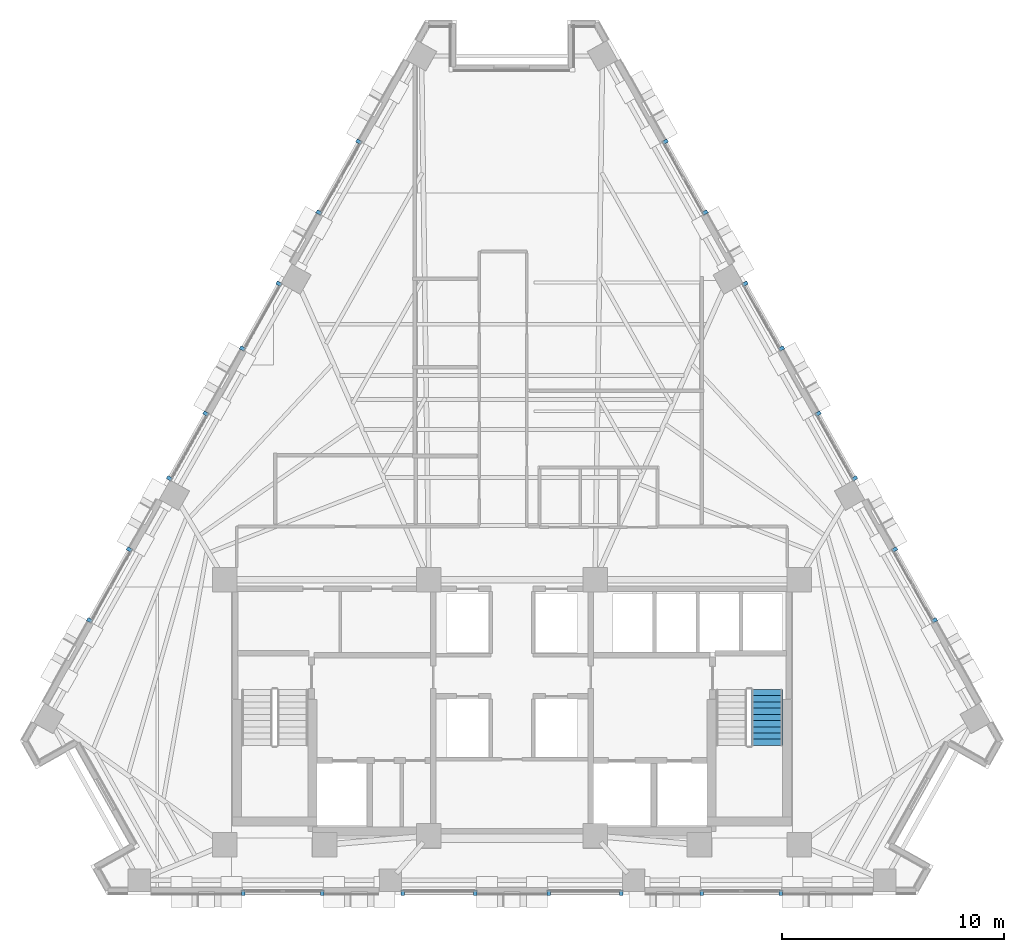
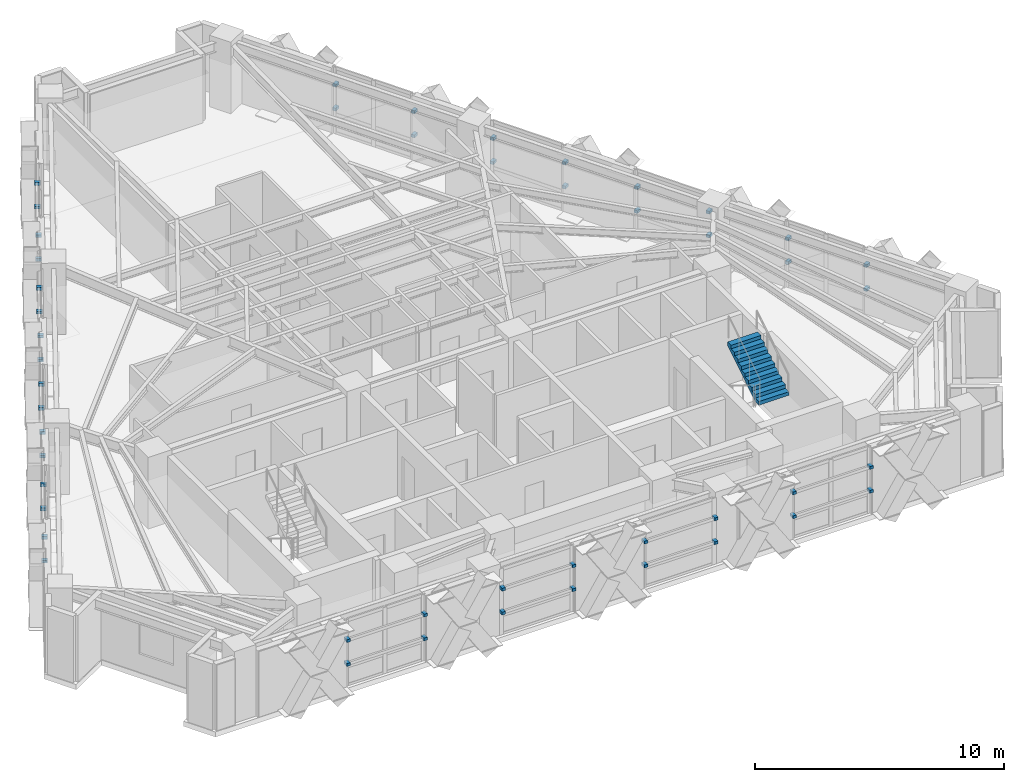
# One storey, part 10 of 14: 48 discrete accessories, 1 stair flight, 1 element without a shape of its own.
"""IFC4 building model written with IfcOpenShell, lengths in metres."""

import ifcopenshell
import ifcopenshell.guid

model = None  # the IFC model being written
_history = None  # IfcOwnerHistory: only IFC2X3 demands one
_inside = {}  # id of a spatial element -> (the spatial element, [elements in it])
_under = {}  # id of a project, library or spatial element -> (it, [spatial elements below it])
_declared = {}  # id of a project -> (the project, [libraries it declares])
_typed = {}  # id of a type object -> (the type object, [elements of that type])
_made_of = {}  # id of a material, layer set ... -> (it, [elements and type objects made of it])


def new_model(schema):
    """Start an empty IFC model of exactly this schema.

    Asked for "IFC4X3", IfcOpenShell would pick the latest addendum, in which some entities
    have other attributes; the version numbers below select the first issue.
    IFC2X3 requires an IfcOwnerHistory on every rooted entity: one is made here for all.
    """
    global model, _history
    if schema == "IFC4X3":
        model = ifcopenshell.file(schema_version=(4, 3, 0, 0))
    else:
        model = ifcopenshell.file(schema=schema)
    _inside.clear()
    _under.clear()
    _declared.clear()
    _typed.clear()
    _made_of.clear()
    _history = None
    if model.schema == "IFC2X3":
        org = make("IfcOrganization", Name="unknown")
        user = make(
            "IfcPersonAndOrganization",
            ThePerson=make("IfcPerson", FamilyName="unknown"),
            TheOrganization=org,
        )
        app = make(
            "IfcApplication",
            ApplicationDeveloper=org,
            Version="unknown",
            ApplicationFullName="unknown",
            ApplicationIdentifier="unknown",
        )
        _history = make(
            "IfcOwnerHistory",
            OwningUser=user,
            OwningApplication=app,
            ChangeAction="ADDED",
            CreationDate=0,
        )
    return model


def make(cls, **values):
    """One entity of the class cls with the attributes given. An attribute that is None is left unset."""
    return model.create_entity(
        cls, **{name: value for name, value in values.items() if value is not None}
    )


def rooted(cls, **values):
    """An entity with a GlobalId (a new one), such as an element, a storey or a relation."""
    return make(cls, GlobalId=ifcopenshell.guid.new(), OwnerHistory=_history, **values)


def si_unit(unit_type, name, prefix=None):
    """IfcSIUnit, for example si_unit("LENGTHUNIT", "METRE", prefix="MILLI")."""
    return make("IfcSIUnit", UnitType=unit_type, Prefix=prefix, Name=name)


def assignment(units):
    """IfcUnitAssignment: the units of a project."""
    return None if units is None else make("IfcUnitAssignment", Units=units)


def point(xyz):
    """IfcCartesianPoint."""
    return None if xyz is None else make("IfcCartesianPoint", Coordinates=xyz)


def direction(xyz):
    """IfcDirection."""
    return None if xyz is None else make("IfcDirection", DirectionRatios=xyz)


def frame(location, z_axis=None, x_axis=None):
    """IfcAxis2Placement3D, a coordinate frame: its origin and axes. An axis left out is left unset."""
    return make(
        "IfcAxis2Placement3D",
        Location=point(location),
        Axis=direction(z_axis),
        RefDirection=direction(x_axis),
    )


def frame_2d(location, x_axis=None):
    """IfcAxis2Placement2D, a coordinate frame in the plane: its origin and x axis."""
    return make(
        "IfcAxis2Placement2D", Location=point(location), RefDirection=direction(x_axis)
    )


def origin():
    """The frame at (0, 0, 0) with its axes left unset."""
    return frame((0.0, 0.0, 0.0))


def origin_2d():
    """The frame at (0, 0) in the plane with its x axis left unset."""
    return frame_2d((0.0, 0.0))


def place(relative_to, where):
    """IfcLocalPlacement: puts the frame where relative to a parent placement (None: the world)."""
    return make(
        "IfcLocalPlacement", PlacementRelTo=relative_to, RelativePlacement=where
    )


def context(
    kind, dimensions, precision=None, world=None, true_north=None, identifier=None
):
    """IfcGeometricRepresentationContext, for example the 3D "Model" context."""
    return make(
        "IfcGeometricRepresentationContext",
        ContextIdentifier=identifier,
        ContextType=kind,
        CoordinateSpaceDimension=dimensions,
        Precision=precision,
        WorldCoordinateSystem=world,
        TrueNorth=true_north,
    )


def subcontext(parent, identifier, kind, view, scale=None):
    """IfcGeometricRepresentationSubContext, for example "Body" below "Model"."""
    return make(
        "IfcGeometricRepresentationSubContext",
        ContextIdentifier=identifier,
        ContextType=kind,
        ParentContext=parent,
        TargetScale=scale,
        TargetView=view,
    )


def project(units=None, contexts=None):
    """IfcProject with its units and contexts."""
    return rooted(
        "IfcProject",
        Name="project",
        RepresentationContexts=contexts,
        UnitsInContext=assignment(units),
    )


def spatial(cls, under=None, at=None, **own):
    """A site, building, storey or space (cls), placed at a placement, below another one or the project."""
    s = rooted(cls, ObjectPlacement=at, **own)
    if under is not None:
        _under.setdefault(under.id(), (under, []))[1].append(s)
    return s


def polyline(points):
    """IfcPolyline through the points."""
    return make("IfcPolyline", Points=[point(p) for p in points])


def profile(cls, at=None, kind="AREA", **sizes):
    """A parametric profile (cls). Its sizes go by their IFC names, for example OverallWidth=200.0."""
    return make(cls, ProfileType=kind, Position=at, **sizes)


def rectangle(**sizes):
    """IfcRectangleProfileDef."""
    return profile("IfcRectangleProfileDef", **sizes)


def outline(outer, holes=None, kind="AREA"):
    """IfcArbitraryClosedProfileDef: a profile drawn as a closed curve; with holes, ...WithVoids."""
    if holes is None:
        return make("IfcArbitraryClosedProfileDef", ProfileType=kind, OuterCurve=outer)
    return make(
        "IfcArbitraryProfileDefWithVoids",
        ProfileType=kind,
        OuterCurve=outer,
        InnerCurves=holes,
    )


def extrude(swept, where, along, depth):
    """IfcExtrudedAreaSolid: the profile swept, set in the frame where, extruded along a direction by depth."""
    return make(
        "IfcExtrudedAreaSolid",
        SweptArea=swept,
        Position=where,
        ExtrudedDirection=direction(along),
        Depth=depth,
    )


def shape(context_of_items, identifier, shape_type, items):
    """IfcShapeRepresentation: the items that make up one representation, for example the "Body"."""
    return make(
        "IfcShapeRepresentation",
        ContextOfItems=context_of_items,
        RepresentationIdentifier=identifier,
        RepresentationType=shape_type,
        Items=items,
    )


def material(Name=None, Category=None):
    """IfcMaterial."""
    return make("IfcMaterial", Name=Name, Category=Category)


def layer(
    of_material, thickness, ventilated=None, Name=None, Category=None, Priority=None
):
    """IfcMaterialLayer: one layer of a wall or slab, of a material (None: an air gap)."""
    return make(
        "IfcMaterialLayer",
        Material=of_material,
        LayerThickness=thickness,
        IsVentilated=ventilated,
        Name=Name,
        Category=Category,
        Priority=Priority,
    )


def layer_set(layers, Name=None):
    """IfcMaterialLayerSet."""
    return make("IfcMaterialLayerSet", MaterialLayers=layers, LayerSetName=Name)


def made_of(thing, what):
    """Note that an element or type object is made of a material, layer set ...; save() writes the relation."""
    if what is not None:
        _made_of.setdefault(what.id(), (what, []))[1].append(thing)
    return thing


def type_object(cls, material=None, **own):
    """A type object (cls), such as IfcWallType, which elements share."""
    return made_of(rooted(cls, **own), material)


def element(
    cls,
    number,
    at=None,
    inside=None,
    cuts=None,
    type_object=None,
    material=None,
    context=None,
    identifier="Body",
    shape_type=None,
    held_by="IfcProductDefinitionShape",
    body=None,
    shapes=None,
    **own,
):
    """One element of the class cls, such as IfcWall. Its Tag is "e" and its number.

    at: its placement. inside: the storey or other place that contains it. cuts: it is an
    opening in that element (IfcRelVoidsElement). A single representation is given by context,
    identifier, shape_type and body (its items); several are given by shapes. held_by: the class
    of the entity that holds the representations. save() writes the other relations.
    """
    e = rooted(cls, Tag="e%d" % number, ObjectPlacement=at, **own)
    if body is not None:
        shapes = [shape(context, identifier, shape_type, body)]
    if shapes is not None:
        e.Representation = make(held_by, Representations=shapes)
    if inside is not None:
        _inside.setdefault(inside.id(), (inside, []))[1].append(e)
    if cuts is not None:
        rooted(
            "IfcRelVoidsElement", RelatingBuildingElement=cuts, RelatedOpeningElement=e
        )
    if type_object is not None:
        _typed.setdefault(type_object.id(), (type_object, []))[1].append(e)
    return made_of(e, material)


def aggregate(whole, parts):
    """IfcRelAggregates: a whole, such as a stair, and the parts it consists of."""
    return rooted("IfcRelAggregates", RelatingObject=whole, RelatedObjects=parts)


def save(model, path):
    """Write the relations noted so far, then the file.

    IfcRelAggregates (storeys below a building ...), IfcRelContainedInSpatialStructure (elements
    in a storey), IfcRelDefinesByType, IfcRelAssociatesMaterial and IfcRelDeclares: one each for
    every whole, place, type object, material and project.
    """
    for whole, parts in _under.values():
        aggregate(whole, parts)
    for where, things in _inside.values():
        rooted(
            "IfcRelContainedInSpatialStructure",
            RelatedElements=things,
            RelatingStructure=where,
        )
    for kind, things in _typed.values():
        rooted("IfcRelDefinesByType", RelatedObjects=things, RelatingType=kind)
    for what, things in _made_of.values():
        rooted("IfcRelAssociatesMaterial", RelatedObjects=things, RelatingMaterial=what)
    for by, libraries in _declared.values():
        rooted("IfcRelDeclares", RelatingContext=by, RelatedDefinitions=libraries)
    model.write(path)


model = new_model("IFC4")

# Units and contexts
model_context = context("Model", 3, precision=1e-05, world=origin(), true_north=direction((0.0, 1.0)))
body_context = subcontext(model_context, "Body", "Model", "MODEL_VIEW")
ifc_project = project(units=[si_unit("LENGTHUNIT", "METRE"), si_unit("AREAUNIT", "SQUARE_METRE"), si_unit("VOLUMEUNIT", "CUBIC_METRE"), si_unit("PLANEANGLEUNIT", "RADIAN"), si_unit("MASSUNIT", "GRAM", prefix="KILO")], contexts=[model_context])

# Site, building, storey
site_placement = place(None, origin())
site = spatial("IfcSite", under=ifc_project, at=site_placement, CompositionType="ELEMENT")
building_placement = place(site_placement, origin())
building = spatial("IfcBuilding", under=site, at=building_placement, Name="Quenlor Broadcast Tower", CompositionType="ELEMENT")
storey_placement = place(building_placement, frame((0.0, 0.0, 144.0)))
storey = spatial("IfcBuildingStorey", under=building, at=storey_placement, Name="L39", CompositionType="ELEMENT", Elevation=144.0)

# Stair, stair flight
ifc_material_1 = material(Name="Precast concrete C40/50", Category="concrete")
stair_type = type_object("IfcStairType", Name="Precast Concrete C40/50 Dogleg Stair H350", PredefinedType="HALF_TURN_STAIR", material=ifc_material_1)
stair_placement = place(storey_placement, origin())
stair = element("IfcStair", 1, at=stair_placement, inside=storey, type_object=stair_type, Name="L39 East Core Fire-Isolated Exit Stair ST-2", PredefinedType="HALF_TURN_STAIR")
ifc_material_2 = material(Name="Precast concrete C40/50", Category="concrete")
ifc_layer = layer(ifc_material_2, 0.159912109375)
ifc_layer_set = layer_set([ifc_layer], Name="Precast Concrete C40/50 Stair Flight H350")
stair_flight_type = type_object("IfcStairFlightType", Name="Precast Concrete C40/50 Stair Flight H350", PredefinedType="STRAIGHT", material=ifc_layer_set)
stair_flight_placement = place(storey_placement, frame((11.5, -12.27001953125, 1.75), z_axis=(0.0, 0.0, 1.0), x_axis=(0.0, 1.0, 0.0)))
stair_flight = element("IfcStairFlight", 2, at=stair_flight_placement, type_object=stair_flight_type, Name="ST-2 flight 2", NumberOfRisers=10, NumberOfTreads=9, PredefinedType="STRAIGHT", RiserHeight=0.175, TreadLength=0.28, context=body_context, shape_type="SweptSolid", body=[
    extrude(outline(polyline([(0.0, 0.0), (0.0, 0.175048828125), (0.280029296875, 0.175048828125), (0.280029296875, 0.35009765625), (0.56005859375, 0.35009765625), (0.56005859375, 0.52490234375), (0.840087890625, 0.52490234375), (0.840087890625, 0.699951171875), (1.1201171875, 0.699951171875), (1.1201171875, 0.875), (1.39990234375, 0.875), (1.39990234375, 1.050048828125), (1.679931640625, 1.050048828125), (1.679931640625, 1.22509765625), (1.9599609375, 1.22509765625), (1.9599609375, 1.39990234375), (2.239990234375, 1.39990234375), (2.239990234375, 1.574951171875), (2.52001953125, 1.574951171875), (2.52001953125, 1.75), (2.52001953125, 1.398193359375), (0.28271484375, 0.0), (0.0, 0.0)])), frame((0.0, 0.699951171875, 0.0), z_axis=(0.0, -1.0, 0.0), x_axis=(1.0, 0.0, 0.0)), (0.0, 0.0, 1.0), 1.39990234375),
])
aggregate(stair, [stair_flight])

# Discrete accessories
ifc_material_3 = material(Name="Aluminium 6063-T6", Category="aluminium")
discrete_accessory_type = type_object("IfcDiscreteAccessoryType", Name="Stainless Mullion Baguette Support Bracket", PredefinedType="BRACKET", material=ifc_material_3)
for number, where, z_axis, x_axis, name in (
    (3, (12.114013671875, -18.919921875, 1.10009765625), (0.0, 0.0, 1.0), (-1.0, 0.0, 0.0), "L39 Baguette Mullion Bracket 1.1"),
    (4, (8.550048828125, -18.919921875, 1.10009765625), (0.0, 0.0, 1.0), (-1.0, 0.0, 0.0), "L39 Baguette Mullion Bracket 1.2"),
    (5, (12.114013671875, -18.919921875, 2.27001953125), (0.0, 0.0, 1.0), (-1.0, 0.0, 0.0), "L39 Baguette Mullion Bracket 2.1"),
    (6, (8.550048828125, -18.919921875, 2.27001953125), (0.0, 0.0, 1.0), (-1.0, 0.0, 0.0), "L39 Baguette Mullion Bracket 2.2"),
    (7, (-8.550048828125, -18.919921875, 1.10009765625), (0.0, 0.0, 1.0), (-1.0, 0.0, 0.0), "L39 Baguette Mullion Bracket 1.1"),
    (8, (-12.114013671875, -18.919921875, 1.10009765625), (0.0, 0.0, 1.0), (-1.0, 0.0, 0.0), "L39 Baguette Mullion Bracket 1.2"),
    (9, (-8.550048828125, -18.919921875, 2.27001953125), (0.0, 0.0, 1.0), (-1.0, 0.0, 0.0), "L39 Baguette Mullion Bracket 2.1"),
    (10, (-12.114013671875, -18.919921875, 2.27001953125), (0.0, 0.0, 1.0), (-1.0, 0.0, 0.0), "L39 Baguette Mullion Bracket 2.2"),
    (11, (4.926025390625, -18.919921875, 1.10009765625), (0.0, 0.0, 1.0), (-1.0, 0.0, 0.0), "L39 Baguette Mullion Bracket 1.1"),
    (12, (1.662109375, -18.919921875, 1.10009765625), (0.0, 0.0, 1.0), (-1.0, 0.0, 0.0), "L39 Baguette Mullion Bracket 1.2"),
    (13, (4.926025390625, -18.919921875, 2.27001953125), (0.0, 0.0, 1.0), (-1.0, 0.0, 0.0), "L39 Baguette Mullion Bracket 2.1"),
    (14, (1.662109375, -18.919921875, 2.27001953125), (0.0, 0.0, 1.0), (-1.0, 0.0, 0.0), "L39 Baguette Mullion Bracket 2.2"),
    (15, (-1.662109375, -18.919921875, 1.10009765625), (0.0, 0.0, 1.0), (-1.0, 0.0, 0.0), "L39 Baguette Mullion Bracket 1.1"),
    (16, (-4.926025390625, -18.919921875, 1.10009765625), (0.0, 0.0, 1.0), (-1.0, 0.0, 0.0), "L39 Baguette Mullion Bracket 1.2"),
    (17, (-1.662109375, -18.919921875, 2.27001953125), (0.0, 0.0, 1.0), (-1.0, 0.0, 0.0), "L39 Baguette Mullion Bracket 2.1"),
    (18, (-4.926025390625, -18.919921875, 2.27001953125), (0.0, 0.0, 1.0), (-1.0, 0.0, 0.0), "L39 Baguette Mullion Bracket 2.2"),
    (19, (6.909912109375, 14.952392578125, 1.10009765625), (0.0, 0.0, 1.0), (0.490269552242, -0.871570861229, 0.0), "L39 Baguette Mullion Bracket 1.1"),
    (20, (8.706298828125, 11.7587890625, 1.10009765625), (0.0, 0.0, 1.0), (0.490269552242, -0.871570861229, 0.0), "L39 Baguette Mullion Bracket 1.2"),
    (21, (6.909912109375, 14.952392578125, 2.27001953125), (0.0, 0.0, 1.0), (0.490269552242, -0.871570861229, 0.0), "L39 Baguette Mullion Bracket 2.1"),
    (22, (8.706298828125, 11.7587890625, 2.27001953125), (0.0, 0.0, 1.0), (0.490269552242, -0.871570861229, 0.0), "L39 Baguette Mullion Bracket 2.2"),
    (23, (17.25439453125, -3.437255859375, 1.10009765625), (0.0, 0.0, 1.0), (0.490258903959, -0.871576850937, 0.0), "L39 Baguette Mullion Bracket 1.1"),
    (24, (19.050537109375, -6.630859375, 1.10009765625), (0.0, 0.0, 1.0), (0.490258903959, -0.871576850937, 0.0), "L39 Baguette Mullion Bracket 1.2"),
    (25, (17.25439453125, -3.437255859375, 2.27001953125), (0.0, 0.0, 1.0), (0.490258903959, -0.871576850937, 0.0), "L39 Baguette Mullion Bracket 2.1"),
    (26, (19.050537109375, -6.630859375, 2.27001953125), (0.0, 0.0, 1.0), (0.490258903959, -0.871576850937, 0.0), "L39 Baguette Mullion Bracket 2.2"),
    (27, (10.511962890625, 8.549072265625, 1.10009765625), (0.0, 0.0, 1.0), (0.490255861579, -0.871578562258, 0.0), "L39 Baguette Mullion Bracket 1.1"),
    (28, (12.154296875, 5.62890625, 1.10009765625), (0.0, 0.0, 1.0), (0.490255861579, -0.871578562258, 0.0), "L39 Baguette Mullion Bracket 1.2"),
    (29, (10.511962890625, 8.549072265625, 2.27001953125), (0.0, 0.0, 1.0), (0.490255861579, -0.871578562258, 0.0), "L39 Baguette Mullion Bracket 2.1"),
    (30, (12.154296875, 5.62890625, 2.27001953125), (0.0, 0.0, 1.0), (0.490255861579, -0.871578562258, 0.0), "L39 Baguette Mullion Bracket 2.2"),
    (31, (13.80615234375, 2.692626953125, 1.10009765625), (0.0, 0.0, 1.0), (0.490268031063, -0.87157171691, 0.0), "L39 Baguette Mullion Bracket 1.1"),
    (32, (15.44873046875, -0.2275390625, 1.10009765625), (0.0, 0.0, 1.0), (0.490268031063, -0.87157171691, 0.0), "L39 Baguette Mullion Bracket 1.2"),
    (33, (13.80615234375, 2.692626953125, 2.27001953125), (0.0, 0.0, 1.0), (0.490268031063, -0.87157171691, 0.0), "L39 Baguette Mullion Bracket 2.1"),
    (34, (15.44873046875, -0.2275390625, 2.27001953125), (0.0, 0.0, 1.0), (0.490268031063, -0.87157171691, 0.0), "L39 Baguette Mullion Bracket 2.2"),
    (35, (-19.050537109375, -6.630859375, 1.10009765625), (0.0, 0.0, 1.0), (0.490258903959, 0.871576850937, 0.0), "L39 Baguette Mullion Bracket 1.1"),
    (36, (-17.25439453125, -3.437255859375, 1.10009765625), (0.0, 0.0, 1.0), (0.490258903959, 0.871576850937, 0.0), "L39 Baguette Mullion Bracket 1.2"),
    (37, (-19.050537109375, -6.630859375, 2.27001953125), (0.0, 0.0, 1.0), (0.490258903959, 0.871576850937, 0.0), "L39 Baguette Mullion Bracket 2.1"),
    (38, (-17.25439453125, -3.437255859375, 2.27001953125), (0.0, 0.0, 1.0), (0.490258903959, 0.871576850937, 0.0), "L39 Baguette Mullion Bracket 2.2"),
    (39, (-8.706298828125, 11.7587890625, 1.10009765625), (0.0, 0.0, 1.0), (0.490269552242, 0.871570861229, 0.0), "L39 Baguette Mullion Bracket 1.1"),
    (40, (-6.909912109375, 14.952392578125, 1.10009765625), (0.0, 0.0, 1.0), (0.490269552242, 0.871570861229, 0.0), "L39 Baguette Mullion Bracket 1.2"),
    (41, (-8.706298828125, 11.7587890625, 2.27001953125), (0.0, 0.0, 1.0), (0.490269552242, 0.871570861229, 0.0), "L39 Baguette Mullion Bracket 2.1"),
    (42, (-6.909912109375, 14.952392578125, 2.27001953125), (0.0, 0.0, 1.0), (0.490269552242, 0.871570861229, 0.0), "L39 Baguette Mullion Bracket 2.2"),
    (43, (-15.44873046875, -0.2275390625, 1.10009765625), (0.0, 0.0, 1.0), (0.490268031063, 0.87157171691, 0.0), "L39 Baguette Mullion Bracket 1.1"),
    (44, (-13.80615234375, 2.692626953125, 1.10009765625), (0.0, 0.0, 1.0), (0.490268031063, 0.87157171691, 0.0), "L39 Baguette Mullion Bracket 1.2"),
    (45, (-15.44873046875, -0.2275390625, 2.27001953125), (0.0, 0.0, 1.0), (0.490268031063, 0.87157171691, 0.0), "L39 Baguette Mullion Bracket 2.1"),
    (46, (-13.80615234375, 2.692626953125, 2.27001953125), (0.0, 0.0, 1.0), (0.490268031063, 0.87157171691, 0.0), "L39 Baguette Mullion Bracket 2.2"),
    (47, (-12.154296875, 5.62890625, 1.10009765625), (0.0, 0.0, 1.0), (0.490255861579, 0.871578562258, 0.0), "L39 Baguette Mullion Bracket 1.1"),
    (48, (-10.511962890625, 8.549072265625, 1.10009765625), (0.0, 0.0, 1.0), (0.490255861579, 0.871578562258, 0.0), "L39 Baguette Mullion Bracket 1.2"),
    (49, (-12.154296875, 5.62890625, 2.27001953125), (0.0, 0.0, 1.0), (0.490255861579, 0.871578562258, 0.0), "L39 Baguette Mullion Bracket 2.1"),
    (50, (-10.511962890625, 8.549072265625, 2.27001953125), (0.0, 0.0, 1.0), (0.490255861579, 0.871578562258, 0.0), "L39 Baguette Mullion Bracket 2.2"),
):
    element("IfcDiscreteAccessory", number, at=place(storey_placement, frame(where, z_axis=z_axis, x_axis=x_axis)), inside=storey, type_object=discrete_accessory_type, Name=name, PredefinedType="BRACKET", context=body_context, shape_type="SweptSolid", body=[
        extrude(rectangle(XDim=0.159912109375, YDim=0.239990234375, at=origin_2d()), origin(), (0.0, 0.0, 1.0), 0.139892578125),
    ])

save(model, "model.ifc")
